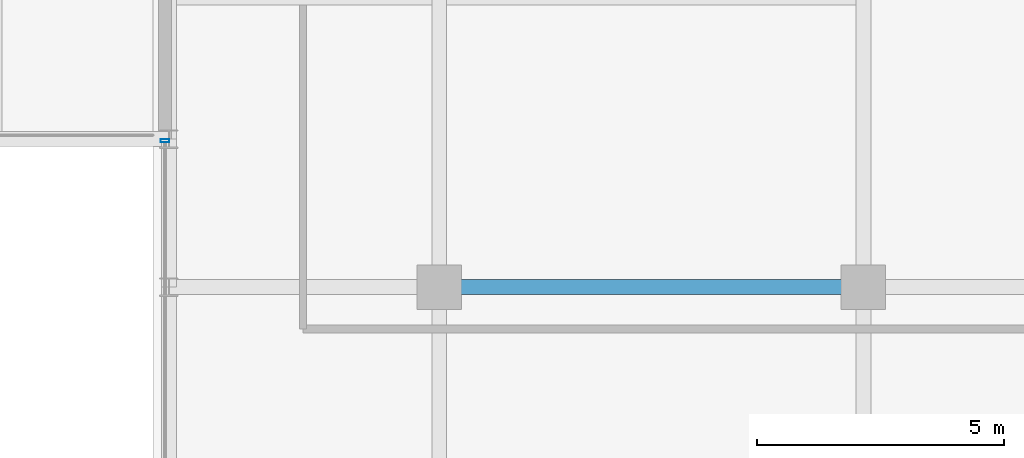
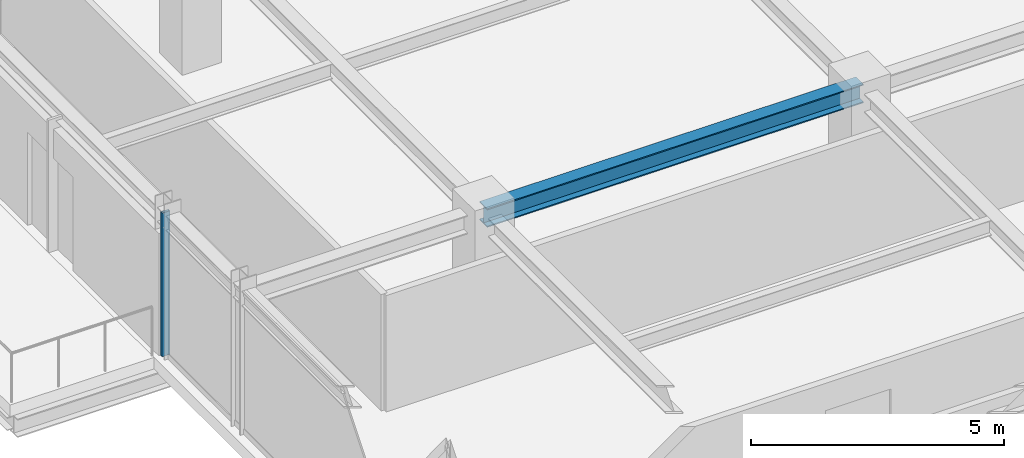
# One storey, part 10 of 34: 1 beam, 1 member, 1 element without a shape of its own.
"""IFC4 building model written with IfcOpenShell, lengths in metres."""

from ifc_helpers import new_model, si_unit, direction, frame, origin, origin_2d, place, context, subcontext, project, spatial, hollow_rectangle, i_section, extrude, source, transform, mapped, material, material_profile, profile_set, type_object, element, aggregate, save


model = new_model("IFC4")

# Units and contexts
model_context = context("Model", 3, precision=1e-05, world=origin(), true_north=direction((0.0, 1.0)))
body_context = subcontext(model_context, "Body", "Model", "MODEL_VIEW")
ifc_project = project(units=[si_unit("LENGTHUNIT", "METRE"), si_unit("AREAUNIT", "SQUARE_METRE"), si_unit("VOLUMEUNIT", "CUBIC_METRE"), si_unit("PLANEANGLEUNIT", "RADIAN"), si_unit("MASSUNIT", "GRAM", prefix="KILO")], contexts=[model_context])

# Site, building, storey
site_placement = place(None, origin())
site = spatial("IfcSite", under=ifc_project, at=site_placement, CompositionType="ELEMENT")
building_placement = place(site_placement, origin())
building = spatial("IfcBuilding", under=site, at=building_placement, Name="Nahalor Promenade Grand Hotel", CompositionType="ELEMENT")
storey_placement = place(building_placement, frame((0.0, 0.0, 334.75)))
storey = spatial("IfcBuildingStorey", under=building, at=storey_placement, Name="L86", CompositionType="ELEMENT", Elevation=334.75)

# Beam
ifc_material_1 = material(Name="Steel S355JR", Category="steel")
ifc_material_profile_1 = material_profile(ifc_material_1, i_section(OverallWidth=0.3, OverallDepth=0.45, WebThickness=0.014, FlangeThickness=0.026, at=origin_2d()), Name="HEB 450")
ifc_profile_set_1 = profile_set([ifc_material_profile_1], Name="Steel S355JR")
beam_type = type_object("IfcBeamType", Name="Beam-Girder-HEB450", PredefinedType="BEAM", material=ifc_profile_set_1)
shared_shape_1 = source(origin(), body_context, "Body", "SweptSolid", [
    extrude(i_section(OverallWidth=0.3, OverallDepth=0.45, WebThickness=0.014, FlangeThickness=0.026, at=origin_2d()), origin(), (0.0, 0.0, 1.0), 8.60009765625),
])
beam_placement = place(storey_placement, frame((-17.0, 5.39990234375, 3.2451171875), z_axis=(1.0, 0.0, 0.0), x_axis=(0.0, 1.0, 0.0)))
element("IfcBeam", 1, at=beam_placement, inside=storey, type_object=beam_type, Name="BM-L86-GX-2-1", PredefinedType="BEAM", context=body_context, shape_type="MappedRepresentation", body=[
    mapped(shared_shape_1, transform((0.0, 0.0, 0.0), scale=1.0)),
])

# Curtain wall, member
ifc_material_2 = material(Name="Anodised Bronze Aluminium EN AW-6063 T6", Category="aluminium")
curtain_wall_type = type_object("IfcCurtainWallType", Name="CW2 Typical Hotel Flush Bronze Unitised Curtain Wall", PredefinedType="USERDEFINED", material=ifc_material_2)
curtain_wall_placement = place(storey_placement, origin())
curtain_wall = element("IfcCurtainWall", 2, at=curtain_wall_placement, inside=storey, type_object=curtain_wall_type, Name="L86 Curtain Wall CW-L86-W-1", ObjectType="UNITISED_CURTAIN_WALL", PredefinedType="USERDEFINED")
ifc_material_profile_2 = material_profile(ifc_material_2, hollow_rectangle(XDim=0.065, YDim=0.18, WallThickness=0.004, at=origin_2d()), Name="CWM 65x180x4")
ifc_profile_set_2 = profile_set([ifc_material_profile_2], Name="Anodised Bronze Aluminium EN AW-6063 T6")
member_type = type_object("IfcMemberType", Name="CWM2 Typical Bronze Mullion 65x180", PredefinedType="MULLION", material=ifc_profile_set_2)
shared_shape_2 = source(origin(), body_context, "Body", "SweptSolid", [
    extrude(hollow_rectangle(XDim=0.065, YDim=0.18, WallThickness=0.004, at=origin_2d()), origin(), (0.0, 0.0, 1.0), 3.469970703125),
])
member_placement = place(storey_placement, frame((-22.56005859375, 8.367431640625, 0.0), z_axis=(0.0, 0.0, 1.0), x_axis=(0.0, 1.0, 0.0)))
member = element("IfcMember", 3, at=member_placement, type_object=member_type, Name="CW-L86-W-1 Mullion 2", PredefinedType="MULLION", context=body_context, shape_type="MappedRepresentation", body=[
    mapped(shared_shape_2, transform((0.0, 0.0, 0.0), scale=1.0)),
])
aggregate(curtain_wall, [member])

save(model, "model.ifc")
